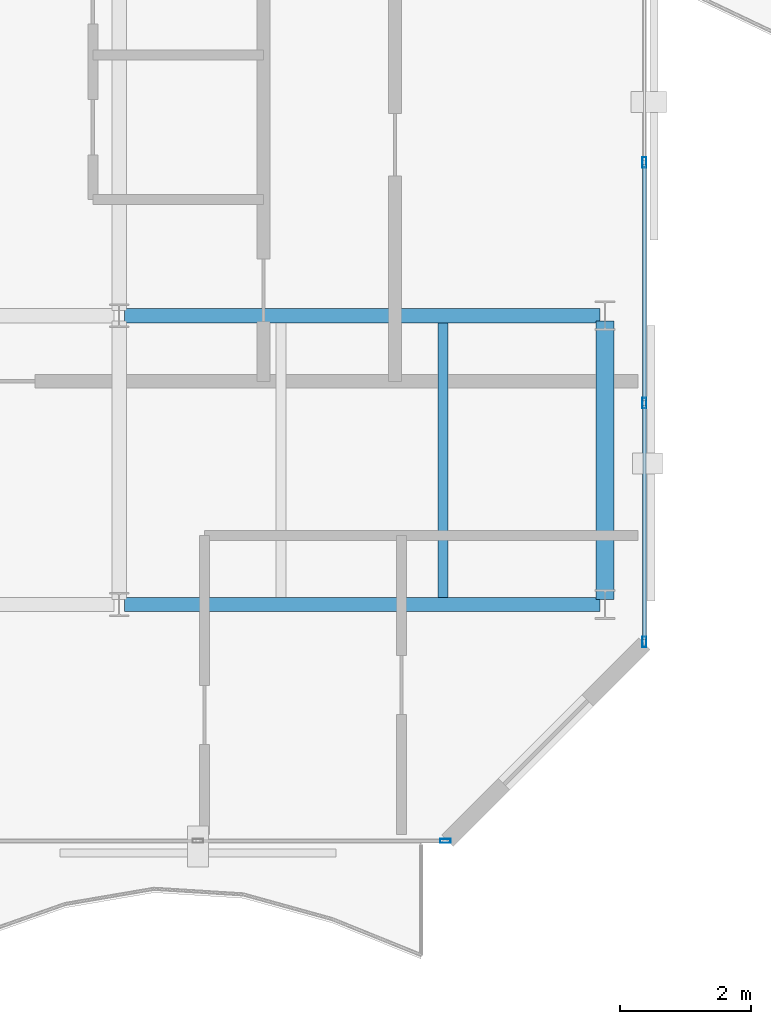
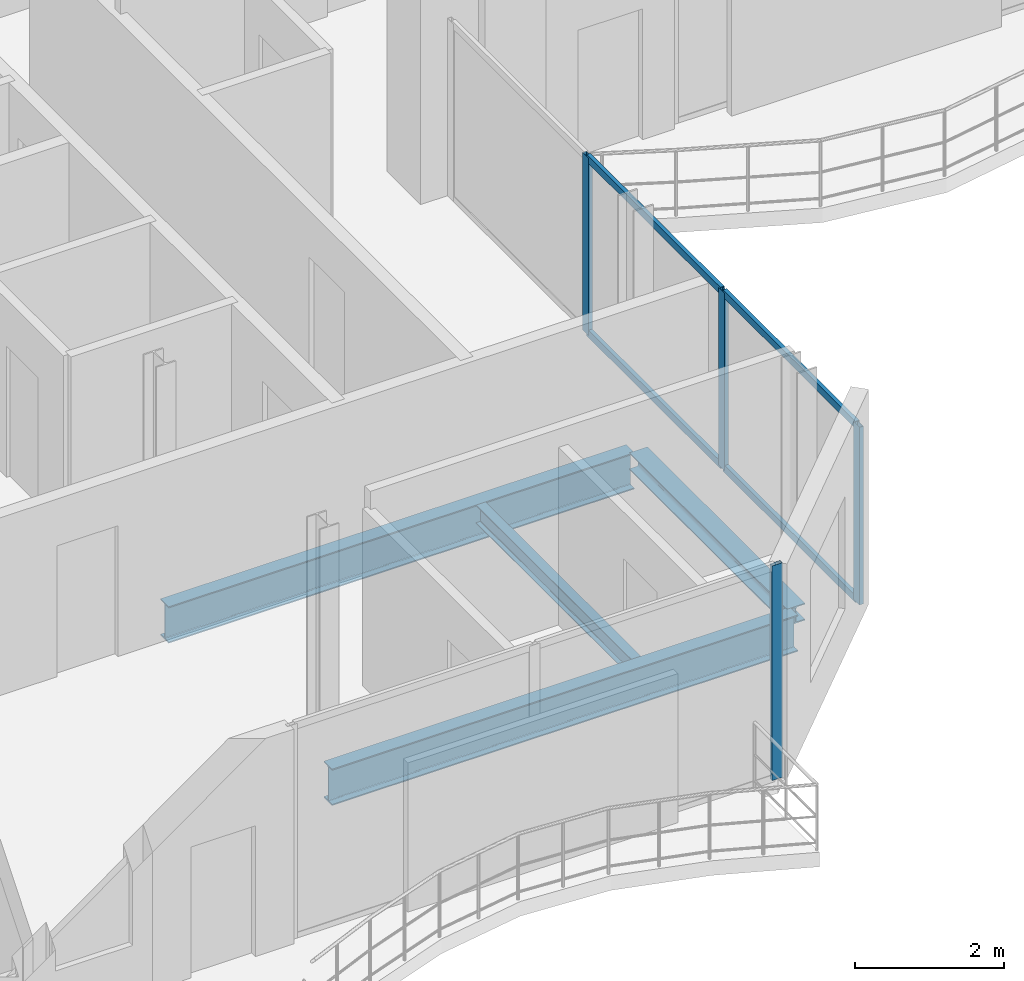
# One storey, part 7 of 22: 8 members, 4 beams, 2 elements without a shape of their own.
"""IFC4 building model written with IfcOpenShell, lengths in metres."""

from ifc_helpers import new_model, si_unit, direction, frame, origin, origin_2d, place, context, subcontext, project, spatial, hollow_rectangle, i_section, extrude, material, layer, layer_set, material_profile, profile_set, type_object, element, aggregate, save


model = new_model("IFC4")

# Units and contexts
model_context = context("Model", 3, precision=1e-05, world=origin(), true_north=direction((0.0, 1.0)))
body_context = subcontext(model_context, "Body", "Model", "MODEL_VIEW")
ifc_project = project(units=[si_unit("LENGTHUNIT", "METRE"), si_unit("AREAUNIT", "SQUARE_METRE"), si_unit("VOLUMEUNIT", "CUBIC_METRE"), si_unit("PLANEANGLEUNIT", "RADIAN"), si_unit("MASSUNIT", "GRAM", prefix="KILO")], contexts=[model_context])

# Site, building, storey
site_placement = place(None, origin())
site = spatial("IfcSite", under=ifc_project, at=site_placement, CompositionType="ELEMENT")
building_placement = place(site_placement, origin())
building = spatial("IfcBuilding", under=site, at=building_placement, Name="Catumbela Crestline Tower", CompositionType="ELEMENT")
storey_placement = place(building_placement, frame((0.0, 0.0, 233.6)))
storey = spatial("IfcBuildingStorey", under=building, at=storey_placement, Name="L60", CompositionType="ELEMENT", Elevation=233.6)

# Beams
ifc_material_1 = material(Name="Structural steel S355J2", Category="steel")
ifc_material_profile_1 = material_profile(ifc_material_1, i_section(OverallWidth=0.22, OverallDepth=0.6, WebThickness=0.012, FlangeThickness=0.019, FilletRadius=0.024, at=origin_2d()), Name="IPE 600")
ifc_profile_set_1 = profile_set([ifc_material_profile_1], Name="Structural steel S355J2")
beam_type_1 = type_object("IfcBeamType", Name="BG-IPE600", PredefinedType="BEAM", material=ifc_profile_set_1)
for number, where, z_axis, x_axis, name in (
    (1, (16.08, 13.6, -0.56), (1.0, 0.0, 0.0), (0.0, 1.0, 0.0), "L60 Beam BM-L60-WEW28"),
    (2, (16.08, 18.0, -0.56), (1.0, 0.0, 0.0), (0.0, 1.0, 0.0), "L60 Beam BM-L60-WEW30"),
):
    element("IfcBeam", number, at=place(storey_placement, frame(where, z_axis=z_axis, x_axis=x_axis)), inside=storey, type_object=beam_type_1, Name=name, PredefinedType="BEAM", context=body_context, shape_type="SweptSolid", body=[
        extrude(i_section(OverallWidth=0.22, OverallDepth=0.6, WebThickness=0.012, FlangeThickness=0.019, FilletRadius=0.024, at=origin_2d()), origin(), (0.0, 0.0, 1.0), 7.24),
    ])
ifc_material_profile_2 = material_profile(ifc_material_1, i_section(OverallWidth=0.15, OverallDepth=0.3, WebThickness=0.0071, FlangeThickness=0.0107, FilletRadius=0.015, at=origin_2d()), Name="IPE 300")
ifc_profile_set_2 = profile_set([ifc_material_profile_2], Name="Structural steel S355J2")
beam_type_2 = type_object("IfcBeamType", Name="BJ-IPE300", PredefinedType="JOIST", material=ifc_profile_set_2)
beam_1_placement = place(storey_placement, frame((20.933, 13.71, -0.41), z_axis=(0.0, 1.0, 0.0), x_axis=(-1.0, 0.0, 0.0)))
element("IfcBeam", 3, at=beam_1_placement, inside=storey, type_object=beam_type_2, Name="L60 Joist JS-L60-WG39", PredefinedType="JOIST", context=body_context, shape_type="SweptSolid", body=[
    extrude(i_section(OverallWidth=0.15, OverallDepth=0.3, WebThickness=0.0071, FlangeThickness=0.0107, FilletRadius=0.015, at=origin_2d()), origin(), (0.0, 0.0, 1.0), 4.18),
])

# Curtain wall, member
ifc_material_2 = material(Name="Aluminium alloy AW-6060-T66", Category="aluminium")
ifc_layer = layer(ifc_material_2, 0.18, Name="Aluminium alloy AW-6060-T66")
ifc_layer_set = layer_set([ifc_layer], Name="Aluminium alloy AW-6060-T66")
curtain_wall_type = type_object("IfcCurtainWallType", Name="CWU-Z4", PredefinedType="USERDEFINED", material=ifc_layer_set)
curtain_wall_1_placement = place(storey_placement, origin())
curtain_wall_1 = element("IfcCurtainWall", 4, at=curtain_wall_1_placement, inside=storey, type_object=curtain_wall_type, Name="L60 Unitised Curtain Wall CW-L60-E0S2", ObjectType="UNITISED", PredefinedType="USERDEFINED")
ifc_material_profile_3 = material_profile(ifc_material_2, hollow_rectangle(XDim=0.06, YDim=0.16, WallThickness=0.004, at=origin_2d()), Name="ALU 160x60x4")
ifc_profile_set_3 = profile_set([ifc_material_profile_3], Name="Aluminium alloy AW-6060-T66")
member_type_1 = type_object("IfcMemberType", Name="MUL-160X60", PredefinedType="MULLION", material=ifc_profile_set_3)
member_1_placement = place(storey_placement, frame((20.9675, 10.0, 0.0), z_axis=(0.0, 0.0, 1.0), x_axis=(0.0, 1.0, 0.0)))
member_1 = element("IfcMember", 5, at=member_1_placement, type_object=member_type_1, Name="CWU-Z4 mullion 3", PredefinedType="MULLION", context=body_context, shape_type="SweptSolid", body=[
    extrude(hollow_rectangle(XDim=0.06, YDim=0.16, WallThickness=0.004, at=origin_2d()), origin(), (0.0, 0.0, 1.0), 3.53),
])
aggregate(curtain_wall_1, [member_1])

# Curtain wall, members
curtain_wall_2_placement = place(storey_placement, origin())
curtain_wall_2 = element("IfcCurtainWall", 6, at=curtain_wall_2_placement, inside=storey, type_object=curtain_wall_type, Name="L60 Unitised Curtain Wall CW-L60-E2S1", ObjectType="UNITISED", PredefinedType="USERDEFINED")
member_2_placement = place(storey_placement, frame((24.0, 13.0325, 0.0), z_axis=(0.0, 0.0, 1.0), x_axis=(-1.0, 0.0, 0.0)))
member_2 = element("IfcMember", 7, at=member_2_placement, type_object=member_type_1, Name="CWU-Z4 mullion 1", PredefinedType="MULLION", context=body_context, shape_type="SweptSolid", body=[
    extrude(hollow_rectangle(XDim=0.06, YDim=0.16, WallThickness=0.004, at=origin_2d()), origin(), (0.0, 0.0, 1.0), 2.92),
])
member_3_placement = place(storey_placement, frame((24.0, 16.6667, 0.0), z_axis=(0.0, 0.0, 1.0), x_axis=(-1.0, 0.0, 0.0)))
member_3 = element("IfcMember", 8, at=member_3_placement, type_object=member_type_1, Name="CWU-Z4 mullion 2", PredefinedType="MULLION", context=body_context, shape_type="SweptSolid", body=[
    extrude(hollow_rectangle(XDim=0.06, YDim=0.16, WallThickness=0.004, at=origin_2d()), origin(), (0.0, 0.0, 1.0), 2.92),
])
member_4_placement = place(storey_placement, frame((24.0, 20.3333, 0.0), z_axis=(0.0, 0.0, 1.0), x_axis=(-1.0, 0.0, 0.0)))
member_4 = element("IfcMember", 9, at=member_4_placement, type_object=member_type_1, Name="CWU-Z4 mullion 3", PredefinedType="MULLION", context=body_context, shape_type="SweptSolid", body=[
    extrude(hollow_rectangle(XDim=0.06, YDim=0.16, WallThickness=0.004, at=origin_2d()), origin(), (0.0, 0.0, 1.0), 2.92),
])

# Beam
ifc_material_profile_4 = material_profile(ifc_material_1, i_section(OverallWidth=0.28, OverallDepth=0.28, WebThickness=0.0105, FlangeThickness=0.018, FilletRadius=0.024, at=origin_2d()), Name="HEB 280")
ifc_profile_set_4 = profile_set([ifc_material_profile_4], Name="Structural steel S355J2")
beam_type_3 = type_object("IfcBeamType", Name="BS-HEB280", PredefinedType="SPANDREL", material=ifc_profile_set_4)
beam_2_placement = place(storey_placement, frame((23.4, 13.68, -0.4), z_axis=(0.0, 1.0, 0.0), x_axis=(-1.0, 0.0, 0.0)))
element("IfcBeam", 10, at=beam_2_placement, inside=storey, type_object=beam_type_3, Name="L60 Spandrel SP-L60-WNS35", PredefinedType="SPANDREL", context=body_context, shape_type="SweptSolid", body=[
    extrude(i_section(OverallWidth=0.28, OverallDepth=0.28, WebThickness=0.0105, FlangeThickness=0.018, FilletRadius=0.024, at=origin_2d()), origin(), (0.0, 0.0, 1.0), 4.24),
])

# Member
ifc_material_profile_5 = material_profile(ifc_material_2, hollow_rectangle(XDim=0.06, YDim=0.12, WallThickness=0.0035, at=origin_2d()), Name="ALU 120x60x3.5")
ifc_profile_set_5 = profile_set([ifc_material_profile_5], Name="Aluminium alloy AW-6060-T66")
member_type_2 = type_object("IfcMemberType", Name="TRN-120X60", PredefinedType="USERDEFINED", material=ifc_profile_set_5)
member_5_placement = place(storey_placement, frame((24.0, 13.065, 0.03), z_axis=(0.0, 1.0, 0.0), x_axis=(-1.0, 0.0, 0.0)))
member_5 = element("IfcMember", 11, at=member_5_placement, type_object=member_type_2, Name="CWU-Z4 transom 1.1", ObjectType="TRANSOM", PredefinedType="USERDEFINED", context=body_context, shape_type="SweptSolid", body=[
    extrude(hollow_rectangle(XDim=0.06, YDim=0.12, WallThickness=0.0035, at=origin_2d()), origin(), (0.0, 0.0, 1.0), 3.5692),
])

member_6_placement = place(storey_placement, frame((24.0, 13.065, 2.89), z_axis=(0.0, 1.0, 0.0), x_axis=(-1.0, 0.0, 0.0)))
member_6 = element("IfcMember", 12, at=member_6_placement, type_object=member_type_2, Name="CWU-Z4 transom 1.2", ObjectType="TRANSOM", PredefinedType="USERDEFINED", context=body_context, shape_type="SweptSolid", body=[
    extrude(hollow_rectangle(XDim=0.06, YDim=0.12, WallThickness=0.0035, at=origin_2d()), origin(), (0.0, 0.0, 1.0), 3.5692),
])

member_7_placement = place(storey_placement, frame((24.0, 16.6992, 0.03), z_axis=(0.0, 1.0, 0.0), x_axis=(-1.0, 0.0, 0.0)))
member_7 = element("IfcMember", 13, at=member_7_placement, type_object=member_type_2, Name="CWU-Z4 transom 2.1", ObjectType="TRANSOM", PredefinedType="USERDEFINED", context=body_context, shape_type="SweptSolid", body=[
    extrude(hollow_rectangle(XDim=0.06, YDim=0.12, WallThickness=0.0035, at=origin_2d()), origin(), (0.0, 0.0, 1.0), 3.6016),
])

member_8_placement = place(storey_placement, frame((24.0, 16.6992, 2.89), z_axis=(0.0, 1.0, 0.0), x_axis=(-1.0, 0.0, 0.0)))
member_8 = element("IfcMember", 14, at=member_8_placement, type_object=member_type_2, Name="CWU-Z4 transom 2.2", ObjectType="TRANSOM", PredefinedType="USERDEFINED", context=body_context, shape_type="SweptSolid", body=[
    extrude(hollow_rectangle(XDim=0.06, YDim=0.12, WallThickness=0.0035, at=origin_2d()), origin(), (0.0, 0.0, 1.0), 3.6016),
])

aggregate(curtain_wall_2, [member_2, member_3, member_4, member_5, member_6, member_7, member_8])

save(model, "model.ifc")
